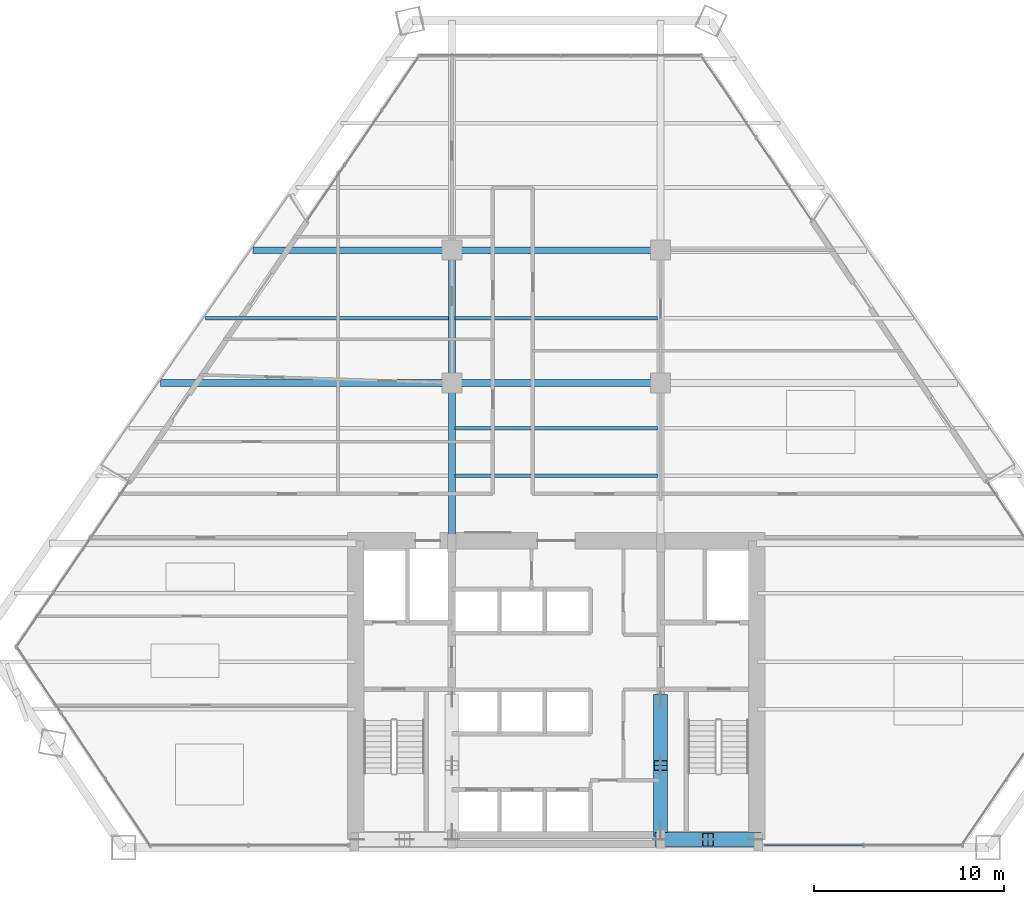
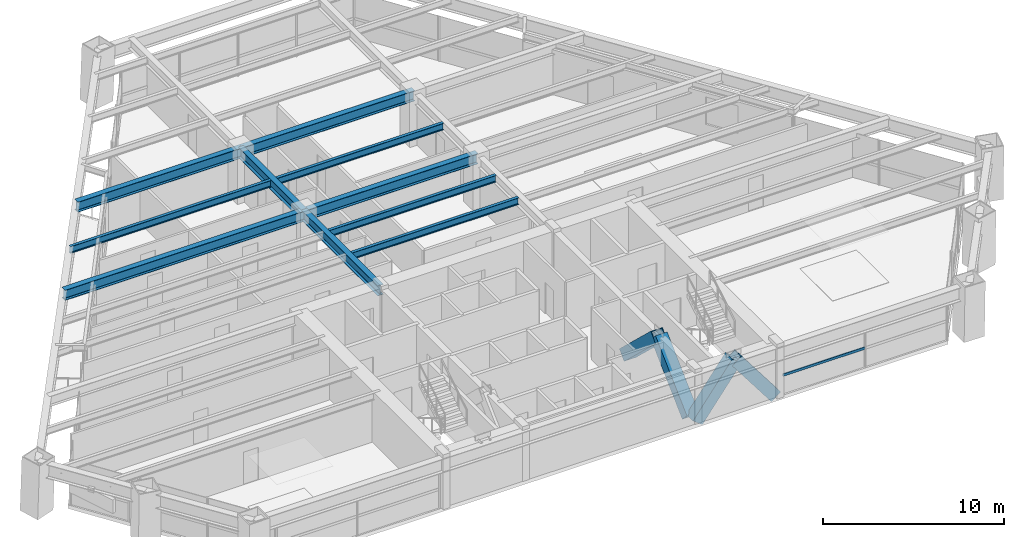
# One storey, part 5 of 14: 10 beams, 5 members, 1 element without a shape of its own.
"""IFC4 building model written with IfcOpenShell, lengths in metres."""

from ifc_helpers import new_model, si_unit, direction, frame, origin, origin_2d, place, context, subcontext, project, spatial, rectangle, hollow_rectangle, i_section, extrude, source, transform, mapped, material, material_profile, profile_set, type_object, type_shapes, element, aggregate, save


model = new_model("IFC4")

# Units and contexts
model_context = context("Model", 3, precision=1e-05, world=origin(), true_north=direction((0.0, 1.0)))
body_context = subcontext(model_context, "Body", "Model", "MODEL_VIEW")
ifc_project = project(units=[si_unit("LENGTHUNIT", "METRE"), si_unit("AREAUNIT", "SQUARE_METRE"), si_unit("VOLUMEUNIT", "CUBIC_METRE"), si_unit("PLANEANGLEUNIT", "RADIAN"), si_unit("MASSUNIT", "GRAM", prefix="KILO")], contexts=[model_context])

# Site, building, storey
site_placement = place(None, origin())
site = spatial("IfcSite", under=ifc_project, at=site_placement, CompositionType="ELEMENT")
building_placement = place(site_placement, origin())
building = spatial("IfcBuilding", under=site, at=building_placement, Name="Varnakhor Terracotta Tower", CompositionType="ELEMENT")
storey_placement = place(building_placement, frame((0.0, 0.0, 46.0)))
storey = spatial("IfcBuildingStorey", under=building, at=storey_placement, Name="L10", CompositionType="ELEMENT", Elevation=46.0)

# Beams
ifc_material_1 = material(Name="Steel S355", Category="steel")
ifc_material_profile_1 = material_profile(ifc_material_1, i_section(OverallWidth=0.35498046875, OverallDepth=0.695068359375, WebThickness=0.014892578125, FlangeThickness=0.02490234375, FilletRadius=0.01806640625, at=origin_2d()), Name="W27X146")
ifc_profile_set_1 = profile_set([ifc_material_profile_1], Name="Steel S355")
beam_type_1 = type_object("IfcBeamType", Name="BM-W27X146", PredefinedType="BEAM", material=ifc_profile_set_1)
shared_shape_1 = source(origin(), body_context, "Body", "SweptSolid", [
    extrude(i_section(OverallWidth=0.35498046875, OverallDepth=0.695068359375, WebThickness=0.014892578125, FlangeThickness=0.02490234375, FilletRadius=0.01806640625, at=origin_2d()), origin(), (0.0, 0.0, 1.0), 8.449951171875),
])
type_shapes(beam_type_1, [shared_shape_1])
beam_1_placement = place(storey_placement, frame((-5.5, 16.050048828125, 3.1025390625), z_axis=(0.0, 1.0, 0.0), x_axis=(-1.0, 0.0, 0.0)))
element("IfcBeam", 1, at=beam_1_placement, inside=storey, type_object=beam_type_1, Name="L10 Primary Girder NS1-W", PredefinedType="BEAM", context=body_context, shape_type="MappedRepresentation", body=[
    mapped(shared_shape_1, transform((0.0, 0.0, 0.0), scale=1.0)),
])
shared_shape_2 = source(origin(), body_context, "Body", "SweptSolid", [
    extrude(i_section(OverallWidth=0.35498046875, OverallDepth=0.695068359375, WebThickness=0.014892578125, FlangeThickness=0.02490234375, FilletRadius=0.01806640625, at=origin_2d()), origin(), (0.0, 0.0, 1.0), 7.0),
])
beam_2_placement = place(storey_placement, frame((-5.5, 24.5, 3.1025390625), z_axis=(0.0, 1.0, 0.0), x_axis=(-1.0, 0.0, 0.0)))
element("IfcBeam", 2, at=beam_2_placement, inside=storey, type_object=beam_type_1, Name="L10 Primary Girder NS2-W", PredefinedType="BEAM", context=body_context, shape_type="MappedRepresentation", body=[
    mapped(shared_shape_2, transform((0.0, 0.0, 0.0), scale=1.0)),
])
shared_shape_3 = source(origin(), body_context, "Body", "SweptSolid", [
    extrude(i_section(OverallWidth=0.35498046875, OverallDepth=0.695068359375, WebThickness=0.014892578125, FlangeThickness=0.02490234375, FilletRadius=0.01806640625, at=origin_2d()), origin(), (0.0, 0.0, 1.0), 11.0),
])
for number, where, z_axis, x_axis, name in (
    (3, (-5.5, 24.5, 3.1025390625), (1.0, 0.0, 0.0), (0.0, 1.0, 0.0), "L10 Primary Girder EW2-2"),
    (4, (-5.5, 31.5, 3.1025390625), (1.0, 0.0, 0.0), (0.0, 1.0, 0.0), "L10 Primary Girder EW3-2"),
):
    element("IfcBeam", number, at=place(storey_placement, frame(where, z_axis=z_axis, x_axis=x_axis)), inside=storey, type_object=beam_type_1, Name=name, PredefinedType="BEAM", context=body_context, shape_type="MappedRepresentation", body=[
        mapped(shared_shape_3, transform((0.0, 0.0, 0.0), scale=1.0)),
    ])
ifc_material_profile_2 = material_profile(ifc_material_1, i_section(OverallWidth=0.19189453125, OverallDepth=0.462890625, WebThickness=0.010498046875, FlangeThickness=0.017578125, FilletRadius=0.01806640625, at=origin_2d()), Name="W18X60")
ifc_profile_set_2 = profile_set([ifc_material_profile_2], Name="Steel S355")
beam_type_2 = type_object("IfcBeamType", Name="JST-W18X60", PredefinedType="JOIST", material=ifc_profile_set_2)
shared_shape_4 = source(origin(), body_context, "Body", "SweptSolid", [
    extrude(i_section(OverallWidth=0.19189453125, OverallDepth=0.462890625, WebThickness=0.010498046875, FlangeThickness=0.017578125, FilletRadius=0.01806640625, at=origin_2d()), origin(), (0.0, 0.0, 1.0), 10.65283203125),
])
for number, where, z_axis, x_axis, name in (
    (5, (-5.326416015625, 19.60009765625, 3.218505859375), (1.0, 0.0, 0.0), (0.0, 1.0, 0.0), "L10 Composite Floor Joist 4-2"),
    (6, (-5.326416015625, 22.10009765625, 3.218505859375), (1.0, 0.0, 0.0), (0.0, 1.0, 0.0), "L10 Composite Floor Joist 5-2"),
    (7, (-5.326416015625, 27.89990234375, 3.218505859375), (1.0, 0.0, 0.0), (0.0, 1.0, 0.0), "L10 Composite Floor Joist 6-2"),
):
    element("IfcBeam", number, at=place(storey_placement, frame(where, z_axis=z_axis, x_axis=x_axis)), inside=storey, type_object=beam_type_2, Name=name, PredefinedType="JOIST", context=body_context, shape_type="MappedRepresentation", body=[
        mapped(shared_shape_4, transform((0.0, 0.0, 0.0), scale=1.0)),
    ])

# Members
ifc_material_2 = material(Name="Steel S460", Category="steel")
ifc_material_profile_3 = material_profile(ifc_material_2, hollow_rectangle(XDim=0.75, YDim=0.75, WallThickness=0.044921875, at=origin_2d()), Name="HSS750X750X45")
ifc_profile_set_3 = profile_set([ifc_material_profile_3], Name="Steel S460")
member_type_1 = type_object("IfcMemberType", Name="MBR-MEGA-750", PredefinedType="BRACE", material=ifc_profile_set_3)
shared_shape_5 = source(origin(), body_context, "Body", "SweptSolid", [
    extrude(hollow_rectangle(XDim=0.75, YDim=0.75, WallThickness=0.044921875, at=origin_2d()), origin(), (0.0, 0.0, 1.0), 4.14013671875),
])
type_shapes(member_type_1, [shared_shape_5])
for number, where, z_axis, x_axis, name in (
    (8, (5.5, 0.419921875, 0.0), (0.603852011179, 0.0, 0.797096448741), (0.0, 1.0, 0.0), "L10 Core Coupled Brace CSEA"),
    (9, (10.5, 0.419921875, 0.0), (-0.603852011179, 0.0, 0.797096448741), (0.0, -1.0, 0.0), "L10 Core Coupled Brace CSEB"),
):
    element("IfcMember", number, at=place(storey_placement, frame(where, z_axis=z_axis, x_axis=x_axis)), inside=storey, type_object=member_type_1, Name=name, PredefinedType="BRACE", context=body_context, shape_type="MappedRepresentation", body=[
        mapped(shared_shape_5, transform((0.0, 0.0, 0.0), scale=1.0)),
    ])
shared_shape_6 = source(origin(), body_context, "Body", "SweptSolid", [
    extrude(hollow_rectangle(XDim=0.75, YDim=0.75, WallThickness=0.044921875, at=origin_2d()), origin(), (0.0, 0.0, 1.0), 4.792236328125),
])
for number, where, z_axis, x_axis, name in (
    (10, (5.5, 0.85009765625, 0.0), (0.0, 0.725110085518, 0.688632967466), (-1.0, 0.0, 0.0), "L10 Core Coupled Brace CWEA"),
    (11, (5.5, 7.800048828125, 0.0), (0.0, -0.72513424341, 0.688607529028), (1.0, 0.0, 0.0), "L10 Core Coupled Brace CWEB"),
):
    element("IfcMember", number, at=place(storey_placement, frame(where, z_axis=z_axis, x_axis=x_axis)), inside=storey, type_object=member_type_1, Name=name, PredefinedType="BRACE", context=body_context, shape_type="MappedRepresentation", body=[
        mapped(shared_shape_6, transform((0.0, 0.0, 0.0), scale=1.0)),
    ])

# Beams
shared_shape_7 = source(origin(), body_context, "Body", "SweptSolid", [
    extrude(i_section(OverallWidth=0.35498046875, OverallDepth=0.695068359375, WebThickness=0.014892578125, FlangeThickness=0.02490234375, FilletRadius=0.01806640625, at=origin_2d()), origin(), (0.0, 0.0, 1.0), 15.364501953125),
])
beam_3_placement = place(storey_placement, frame((-20.864501953125, 24.5, 3.1025390625), z_axis=(1.0, 0.0, 0.0), x_axis=(0.0, 1.0, 0.0)))
element("IfcBeam", 12, at=beam_3_placement, inside=storey, type_object=beam_type_1, Name="L10 Primary Girder EW2-1", PredefinedType="BEAM", context=body_context, shape_type="MappedRepresentation", body=[
    mapped(shared_shape_7, transform((0.0, 0.0, 0.0), scale=1.0)),
])
shared_shape_8 = source(origin(), body_context, "Body", "SweptSolid", [
    extrude(i_section(OverallWidth=0.35498046875, OverallDepth=0.695068359375, WebThickness=0.014892578125, FlangeThickness=0.02490234375, FilletRadius=0.01806640625, at=origin_2d()), origin(), (0.0, 0.0, 1.0), 10.503173828125),
])
beam_4_placement = place(storey_placement, frame((-16.003173828125, 31.5, 3.1025390625), z_axis=(1.0, 0.0, 0.0), x_axis=(0.0, 1.0, 0.0)))
element("IfcBeam", 13, at=beam_4_placement, inside=storey, type_object=beam_type_1, Name="L10 Primary Girder EW3-1", PredefinedType="BEAM", context=body_context, shape_type="MappedRepresentation", body=[
    mapped(shared_shape_8, transform((0.0, 0.0, 0.0), scale=1.0)),
])
shared_shape_9 = source(origin(), body_context, "Body", "SweptSolid", [
    extrude(i_section(OverallWidth=0.19189453125, OverallDepth=0.462890625, WebThickness=0.010498046875, FlangeThickness=0.017578125, FilletRadius=0.01806640625, at=origin_2d()), origin(), (0.0, 0.0, 1.0), 12.82958984375),
])
beam_5_placement = place(storey_placement, frame((-18.503173828125, 27.89990234375, 3.218505859375), z_axis=(1.0, 0.0, 0.0), x_axis=(0.0, 1.0, 0.0)))
element("IfcBeam", 14, at=beam_5_placement, inside=storey, type_object=beam_type_2, Name="L10 Composite Floor Joist 6-1", PredefinedType="JOIST", context=body_context, shape_type="MappedRepresentation", body=[
    mapped(shared_shape_9, transform((0.0, 0.0, 0.0), scale=1.0)),
])

# Curtain wall, member
ifc_material_3 = material(Name="Anodised Aluminium Curtain Wall System", Category="aluminium")
curtain_wall_type = type_object("IfcCurtainWallType", Name="CW-SYS-LOW-OFFICE", PredefinedType="NOTDEFINED", material=ifc_material_3)
curtain_wall_placement = place(storey_placement, origin())
curtain_wall = element("IfcCurtainWall", 15, at=curtain_wall_placement, inside=storey, type_object=curtain_wall_type, Name="L10 South Wing Curtain Wall SSE", PredefinedType="NOTDEFINED")
ifc_material_4 = material(Name="Anodised Aluminium 6063-T6", Category="aluminium")
ifc_material_profile_4 = material_profile(ifc_material_4, rectangle(XDim=0.074951171875, YDim=0.1650390625, at=origin_2d()), Name="ALU TRANSOM 75x165")
ifc_profile_set_4 = profile_set([ifc_material_profile_4], Name="Anodised Aluminium 6063-T6")
member_type_2 = type_object("IfcMemberType", Name="CWT-02", PredefinedType="USERDEFINED", material=ifc_profile_set_4)
shared_shape_10 = source(origin(), body_context, "Body", "SweptSolid", [
    extrude(rectangle(XDim=0.074951171875, YDim=0.1650390625, at=origin_2d()), origin(), (0.0, 0.0, 1.0), 5.22705078125),
])
member_placement = place(storey_placement, frame((16.197021484375, 0.1201171875, 1.272705078125), z_axis=(-1.0, 0.0, 0.0), x_axis=(0.0, -1.0, 0.0)))
member = element("IfcMember", 16, at=member_placement, type_object=member_type_2, Name="L10 South Wing Curtain Wall SSE Transom 2", ObjectType="TRANSOM", PredefinedType="USERDEFINED", context=body_context, shape_type="MappedRepresentation", body=[
    mapped(shared_shape_10, transform((0.0, 0.0, 0.0), scale=1.0)),
])
aggregate(curtain_wall, [member])

save(model, "model.ifc")
